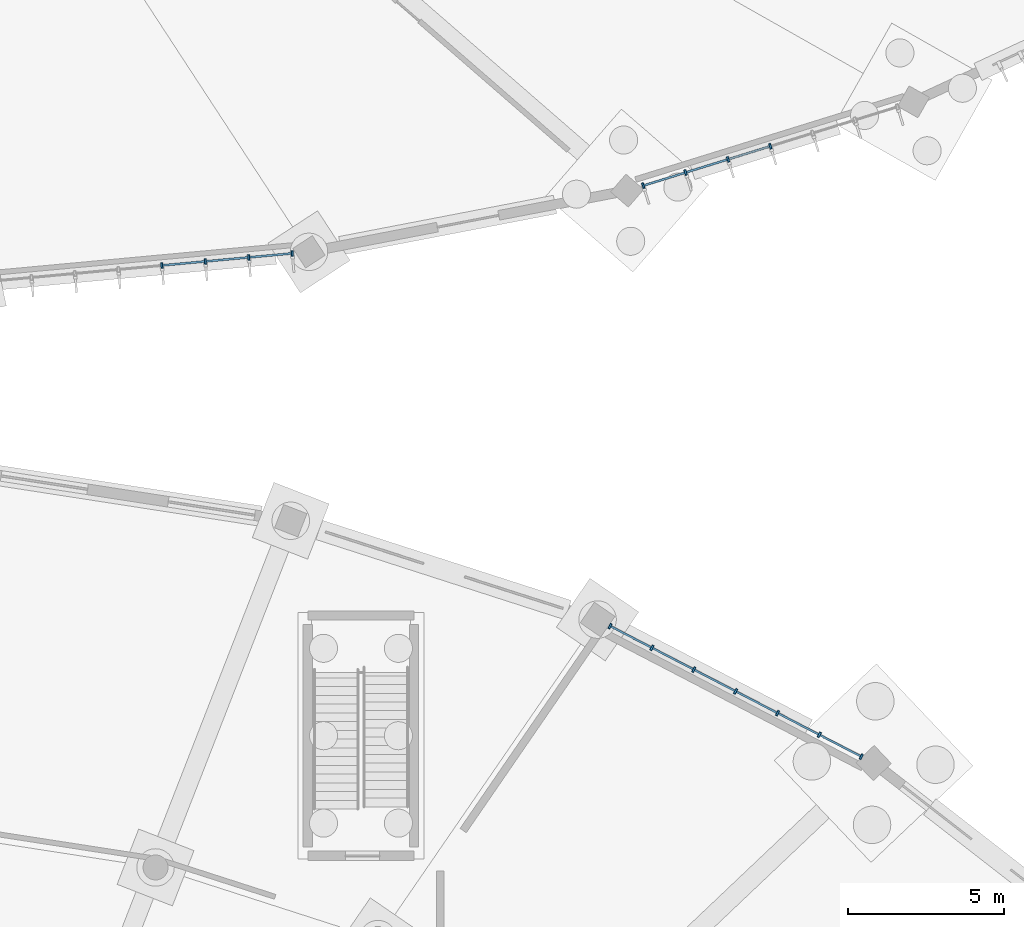
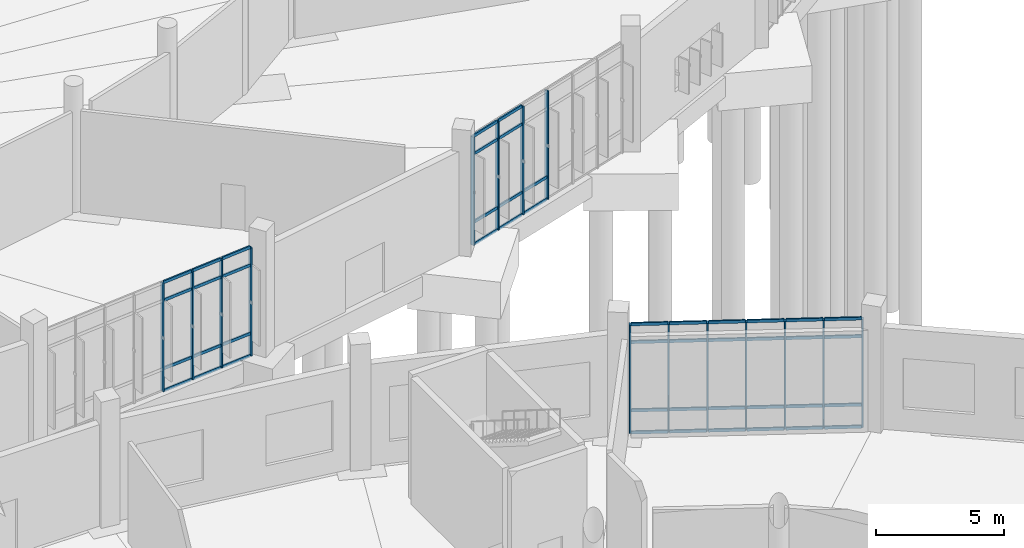
# One storey, part 46 of 140: 61 members, 3 elements without a shape of their own.
"""IFC4 building model written with IfcOpenShell, lengths in metres."""

from ifc_helpers import new_model, si_unit, direction, frame, origin, origin_2d, place, context, subcontext, project, spatial, rectangle, extrude, material, layer, layer_set, material_profile, profile_set, type_object, element, aggregate, save


model = new_model("IFC4")

# Units and contexts
model_context = context("Model", 3, precision=1e-05, world=origin(), true_north=direction((0.0, 1.0)))
body_context = subcontext(model_context, "Body", "Model", "MODEL_VIEW")
ifc_project = project(units=[si_unit("LENGTHUNIT", "METRE"), si_unit("AREAUNIT", "SQUARE_METRE"), si_unit("VOLUMEUNIT", "CUBIC_METRE"), si_unit("PLANEANGLEUNIT", "RADIAN"), si_unit("MASSUNIT", "GRAM", prefix="KILO")], contexts=[model_context])

# Site, building, storey
site_placement = place(None, origin())
site = spatial("IfcSite", under=ifc_project, at=site_placement, CompositionType="ELEMENT")
building_placement = place(site_placement, origin())
building = spatial("IfcBuilding", under=site, at=building_placement, Name="Corvandel Quay Wholesale Market", CompositionType="ELEMENT")
storey_placement = place(building_placement, origin())
storey = spatial("IfcBuildingStorey", under=building, at=storey_placement, Name="L00", CompositionType="ELEMENT", Elevation=0.0)

# Curtain wall, members
ifc_material_1 = material(Name="Bronze anodised aluminium and low-E insulated glazing", Category="aluminium")
ifc_layer_1 = layer(ifc_material_1, 0.14990234375)
ifc_layer_set_1 = layer_set([ifc_layer_1], Name="Bronze anodised aluminium and low-E insulated glazing")
curtain_wall_type_1 = type_object("IfcCurtainWallType", Name="Stick Curtain Wall System CW05 H3450", PredefinedType="NOTDEFINED", material=ifc_layer_set_1)
curtain_wall_1_placement = place(storey_placement, origin())
curtain_wall_1 = element("IfcCurtainWall", 1, at=curtain_wall_1_placement, inside=storey, type_object=curtain_wall_type_1, Name="Curtain Wall CW-0012", PredefinedType="NOTDEFINED")
ifc_material_2 = material(Name="Anodised aluminium 6063-T6", Category="aluminium")
ifc_material_profile_1 = material_profile(ifc_material_2, rectangle(XDim=0.06494140625, YDim=0.179931640625, at=origin_2d()), Name="ALU-MUL-65x180")
ifc_profile_set_1 = profile_set([ifc_material_profile_1], Name="Anodised aluminium 6063-T6")
member_type_1 = type_object("IfcMemberType", Name="Curtain Wall Mullion ML01 65x180", PredefinedType="MULLION", material=ifc_profile_set_1)
member_1_placement = place(storey_placement, frame((148.023681640625, 74.83154296875, 0.0), z_axis=(0.0, 0.0, 1.0), x_axis=(-0.887332978338, 0.461129250378, 0.0)))
member_1 = element("IfcMember", 2, at=member_1_placement, type_object=member_type_1, Name="Mullion CW-0012-M00", PredefinedType="MULLION", context=body_context, shape_type="SweptSolid", body=[
    extrude(rectangle(XDim=0.06494140625, YDim=0.179931640625, at=origin_2d()), origin(), (0.0, 0.0, 1.0), 5.14990234375),
])
member_2_placement = place(storey_placement, frame((146.682861328125, 75.5283203125, 0.0), z_axis=(0.0, 0.0, 1.0), x_axis=(-0.887332978338, 0.461129250378, 0.0)))
member_2 = element("IfcMember", 3, at=member_2_placement, type_object=member_type_1, Name="Mullion CW-0012-M01", PredefinedType="MULLION", context=body_context, shape_type="SweptSolid", body=[
    extrude(rectangle(XDim=0.06494140625, YDim=0.179931640625, at=origin_2d()), origin(), (0.0, 0.0, 1.0), 5.14990234375),
])
member_3_placement = place(storey_placement, frame((145.341796875, 76.22509765625, 0.0), z_axis=(0.0, 0.0, 1.0), x_axis=(-0.887332978338, 0.461129250378, 0.0)))
member_3 = element("IfcMember", 4, at=member_3_placement, type_object=member_type_1, Name="Mullion CW-0012-M02", PredefinedType="MULLION", context=body_context, shape_type="SweptSolid", body=[
    extrude(rectangle(XDim=0.06494140625, YDim=0.179931640625, at=origin_2d()), origin(), (0.0, 0.0, 1.0), 5.14990234375),
])
member_4_placement = place(storey_placement, frame((144.0009765625, 76.922119140625, 0.0), z_axis=(0.0, 0.0, 1.0), x_axis=(-0.887332978338, 0.461129250378, 0.0)))
member_4 = element("IfcMember", 5, at=member_4_placement, type_object=member_type_1, Name="Mullion CW-0012-M03", PredefinedType="MULLION", context=body_context, shape_type="SweptSolid", body=[
    extrude(rectangle(XDim=0.06494140625, YDim=0.179931640625, at=origin_2d()), origin(), (0.0, 0.0, 1.0), 5.14990234375),
])
member_5_placement = place(storey_placement, frame((142.66015625, 77.618896484375, 0.0), z_axis=(0.0, 0.0, 1.0), x_axis=(-0.887332978338, 0.461129250378, 0.0)))
member_5 = element("IfcMember", 6, at=member_5_placement, type_object=member_type_1, Name="Mullion CW-0012-M04", PredefinedType="MULLION", context=body_context, shape_type="SweptSolid", body=[
    extrude(rectangle(XDim=0.06494140625, YDim=0.179931640625, at=origin_2d()), origin(), (0.0, 0.0, 1.0), 5.14990234375),
])
member_6_placement = place(storey_placement, frame((141.319091796875, 78.315673828125, 0.0), z_axis=(0.0, 0.0, 1.0), x_axis=(-0.887332978338, 0.461129250378, 0.0)))
member_6 = element("IfcMember", 7, at=member_6_placement, type_object=member_type_1, Name="Mullion CW-0012-M05", PredefinedType="MULLION", context=body_context, shape_type="SweptSolid", body=[
    extrude(rectangle(XDim=0.06494140625, YDim=0.179931640625, at=origin_2d()), origin(), (0.0, 0.0, 1.0), 5.14990234375),
])
member_7_placement = place(storey_placement, frame((139.978271484375, 79.012451171875, 0.0), z_axis=(0.0, 0.0, 1.0), x_axis=(-0.887332978338, 0.461129250378, 0.0)))
member_7 = element("IfcMember", 8, at=member_7_placement, type_object=member_type_1, Name="Mullion CW-0012-M06", PredefinedType="MULLION", context=body_context, shape_type="SweptSolid", body=[
    extrude(rectangle(XDim=0.06494140625, YDim=0.179931640625, at=origin_2d()), origin(), (0.0, 0.0, 1.0), 5.14990234375),
])

ifc_layer_2 = layer(ifc_material_1, 0.174072265625)
ifc_layer_set_2 = layer_set([ifc_layer_2], Name="Bronze anodised aluminium and low-E insulated glazing")
curtain_wall_type_2 = type_object("IfcCurtainWallType", Name="Stick Curtain Wall System CW27 H5430", PredefinedType="NOTDEFINED", material=ifc_layer_set_2)
curtain_wall_2_placement = place(storey_placement, origin())
curtain_wall_2 = element("IfcCurtainWall", 9, at=curtain_wall_2_placement, inside=storey, type_object=curtain_wall_type_2, Name="Curtain Wall CW-0116", PredefinedType="NOTDEFINED")
member_8_placement = place(storey_placement, frame((125.62158203125, 90.563720703125, 0.0), z_axis=(0.0, 0.0, 1.0), x_axis=(0.995756880939, 0.092023008338, 0.0)))
member_8 = element("IfcMember", 10, at=member_8_placement, type_object=member_type_1, Name="Mullion CW-0116-M04", PredefinedType="MULLION", context=body_context, shape_type="SweptSolid", body=[
    extrude(rectangle(XDim=0.06494140625, YDim=0.179931640625, at=origin_2d()), origin(), (0.0, 0.0, 1.0), 5.14990234375),
])
member_9_placement = place(storey_placement, frame((127.013427734375, 90.6923828125, 0.0), z_axis=(0.0, 0.0, 1.0), x_axis=(0.995756880939, 0.092023008338, 0.0)))
member_9 = element("IfcMember", 11, at=member_9_placement, type_object=member_type_1, Name="Mullion CW-0116-M05", PredefinedType="MULLION", context=body_context, shape_type="SweptSolid", body=[
    extrude(rectangle(XDim=0.06494140625, YDim=0.179931640625, at=origin_2d()), origin(), (0.0, 0.0, 1.0), 5.14990234375),
])
member_10_placement = place(storey_placement, frame((128.405517578125, 90.82080078125, 0.0), z_axis=(0.0, 0.0, 1.0), x_axis=(0.995756880939, 0.092023008338, 0.0)))
member_10 = element("IfcMember", 12, at=member_10_placement, type_object=member_type_1, Name="Mullion CW-0116-M06", PredefinedType="MULLION", context=body_context, shape_type="SweptSolid", body=[
    extrude(rectangle(XDim=0.06494140625, YDim=0.179931640625, at=origin_2d()), origin(), (0.0, 0.0, 1.0), 5.14990234375),
])
member_11_placement = place(storey_placement, frame((129.79736328125, 90.94921875, 0.0), z_axis=(0.0, 0.0, 1.0), x_axis=(0.995756880939, 0.092023008338, 0.0)))
member_11 = element("IfcMember", 13, at=member_11_placement, type_object=member_type_1, Name="Mullion CW-0116-M07", PredefinedType="MULLION", context=body_context, shape_type="SweptSolid", body=[
    extrude(rectangle(XDim=0.06494140625, YDim=0.179931640625, at=origin_2d()), origin(), (0.0, 0.0, 1.0), 5.14990234375),
])

ifc_layer_3 = layer(ifc_material_1, 0.162109375)
ifc_layer_set_3 = layer_set([ifc_layer_3], Name="Bronze anodised aluminium and low-E insulated glazing")
curtain_wall_type_3 = type_object("IfcCurtainWallType", Name="Stick Curtain Wall System CW01 H3090", PredefinedType="NOTDEFINED", material=ifc_layer_set_3)
curtain_wall_3_placement = place(storey_placement, origin())
curtain_wall_3 = element("IfcCurtainWall", 14, at=curtain_wall_3_placement, inside=storey, type_object=curtain_wall_type_3, Name="Curtain Wall CW-0122", PredefinedType="NOTDEFINED")
member_12_placement = place(storey_placement, frame((141.041748046875, 93.118896484375, 0.0), z_axis=(0.0, 0.0, 1.0), x_axis=(0.955123398809, 0.296208192067, 0.0)))
member_12 = element("IfcMember", 15, at=member_12_placement, type_object=member_type_1, Name="Mullion CW-0122-M00", PredefinedType="MULLION", context=body_context, shape_type="SweptSolid", body=[
    extrude(rectangle(XDim=0.06494140625, YDim=0.179931640625, at=origin_2d()), origin(), (0.0, 0.0, 1.0), 5.14990234375),
])
member_13_placement = place(storey_placement, frame((142.3984375, 93.539794921875, 0.0), z_axis=(0.0, 0.0, 1.0), x_axis=(0.955123398809, 0.296208192067, 0.0)))
member_13 = element("IfcMember", 16, at=member_13_placement, type_object=member_type_1, Name="Mullion CW-0122-M01", PredefinedType="MULLION", context=body_context, shape_type="SweptSolid", body=[
    extrude(rectangle(XDim=0.06494140625, YDim=0.179931640625, at=origin_2d()), origin(), (0.0, 0.0, 1.0), 5.14990234375),
])
member_14_placement = place(storey_placement, frame((143.755126953125, 93.960693359375, 0.0), z_axis=(0.0, 0.0, 1.0), x_axis=(0.955123398809, 0.296208192067, 0.0)))
member_14 = element("IfcMember", 17, at=member_14_placement, type_object=member_type_1, Name="Mullion CW-0122-M02", PredefinedType="MULLION", context=body_context, shape_type="SweptSolid", body=[
    extrude(rectangle(XDim=0.06494140625, YDim=0.179931640625, at=origin_2d()), origin(), (0.0, 0.0, 1.0), 5.14990234375),
])
member_15_placement = place(storey_placement, frame((145.112060546875, 94.381591796875, 0.0), z_axis=(0.0, 0.0, 1.0), x_axis=(0.955123398809, 0.296208192067, 0.0)))
member_15 = element("IfcMember", 18, at=member_15_placement, type_object=member_type_1, Name="Mullion CW-0122-M03", PredefinedType="MULLION", context=body_context, shape_type="SweptSolid", body=[
    extrude(rectangle(XDim=0.06494140625, YDim=0.179931640625, at=origin_2d()), origin(), (0.0, 0.0, 1.0), 5.14990234375),
])

# Member
ifc_material_profile_2 = material_profile(ifc_material_2, rectangle(XDim=0.06494140625, YDim=0.139892578125, at=origin_2d()), Name="ALU-TRN-65x140")
ifc_profile_set_2 = profile_set([ifc_material_profile_2], Name="Anodised aluminium 6063-T6")
member_type_2 = type_object("IfcMemberType", Name="Curtain Wall Transom TR01 65x140", PredefinedType="USERDEFINED", material=ifc_profile_set_2)
member_16_placement = place(storey_placement, frame((147.994873046875, 74.846435546875, 0.0), z_axis=(-0.887363258925, 0.461070977953, 0.0), x_axis=(-0.461070977953, -0.887363258925, 0.0)))
member_16 = element("IfcMember", 19, at=member_16_placement, type_object=member_type_2, Name="Transom CW-0012-T00-0", ObjectType="TRANSOM", PredefinedType="USERDEFINED", context=body_context, shape_type="SweptSolid", body=[
    extrude(rectangle(XDim=0.06494140625, YDim=0.139892578125, at=origin_2d()), origin(), (0.0, 0.0, 1.0), 1.446044921875),
])

member_17_placement = place(storey_placement, frame((147.994873046875, 74.846435546875, 1.050048828125), z_axis=(-0.887363258925, 0.461070977953, 0.0), x_axis=(-0.461070977953, -0.887363258925, 0.0)))
member_17 = element("IfcMember", 20, at=member_17_placement, type_object=member_type_2, Name="Transom CW-0012-T00-1", ObjectType="TRANSOM", PredefinedType="USERDEFINED", context=body_context, shape_type="SweptSolid", body=[
    extrude(rectangle(XDim=0.06494140625, YDim=0.139892578125, at=origin_2d()), origin(), (0.0, 0.0, 1.0), 1.446044921875),
])

member_18_placement = place(storey_placement, frame((147.994873046875, 74.846435546875, 4.300048828125), z_axis=(-0.887363258925, 0.461070977953, 0.0), x_axis=(-0.461070977953, -0.887363258925, 0.0)))
member_18 = element("IfcMember", 21, at=member_18_placement, type_object=member_type_2, Name="Transom CW-0012-T00-2", ObjectType="TRANSOM", PredefinedType="USERDEFINED", context=body_context, shape_type="SweptSolid", body=[
    extrude(rectangle(XDim=0.06494140625, YDim=0.139892578125, at=origin_2d()), origin(), (0.0, 0.0, 1.0), 1.446044921875),
])

member_19_placement = place(storey_placement, frame((147.994873046875, 74.846435546875, 5.14990234375), z_axis=(-0.887363258925, 0.461070977953, 0.0), x_axis=(-0.461070977953, -0.887363258925, 0.0)))
member_19 = element("IfcMember", 22, at=member_19_placement, type_object=member_type_2, Name="Transom CW-0012-T00-3", ObjectType="TRANSOM", PredefinedType="USERDEFINED", context=body_context, shape_type="SweptSolid", body=[
    extrude(rectangle(XDim=0.06494140625, YDim=0.139892578125, at=origin_2d()), origin(), (0.0, 0.0, 1.0), 1.446044921875),
])

member_20_placement = place(storey_placement, frame((146.654052734375, 75.543212890625, 0.0), z_axis=(-0.887330080745, 0.46113482606, 0.0), x_axis=(-0.46113482606, -0.887330080745, 0.0)))
member_20 = element("IfcMember", 23, at=member_20_placement, type_object=member_type_2, Name="Transom CW-0012-T01-0", ObjectType="TRANSOM", PredefinedType="USERDEFINED", context=body_context, shape_type="SweptSolid", body=[
    extrude(rectangle(XDim=0.06494140625, YDim=0.139892578125, at=origin_2d()), origin(), (0.0, 0.0, 1.0), 1.446533203125),
])

member_21_placement = place(storey_placement, frame((146.654052734375, 75.543212890625, 1.050048828125), z_axis=(-0.887330080745, 0.46113482606, 0.0), x_axis=(-0.46113482606, -0.887330080745, 0.0)))
member_21 = element("IfcMember", 24, at=member_21_placement, type_object=member_type_2, Name="Transom CW-0012-T01-1", ObjectType="TRANSOM", PredefinedType="USERDEFINED", context=body_context, shape_type="SweptSolid", body=[
    extrude(rectangle(XDim=0.06494140625, YDim=0.139892578125, at=origin_2d()), origin(), (0.0, 0.0, 1.0), 1.446533203125),
])

member_22_placement = place(storey_placement, frame((146.654052734375, 75.543212890625, 4.300048828125), z_axis=(-0.887330080745, 0.46113482606, 0.0), x_axis=(-0.46113482606, -0.887330080745, 0.0)))
member_22 = element("IfcMember", 25, at=member_22_placement, type_object=member_type_2, Name="Transom CW-0012-T01-2", ObjectType="TRANSOM", PredefinedType="USERDEFINED", context=body_context, shape_type="SweptSolid", body=[
    extrude(rectangle(XDim=0.06494140625, YDim=0.139892578125, at=origin_2d()), origin(), (0.0, 0.0, 1.0), 1.446533203125),
])

member_23_placement = place(storey_placement, frame((146.654052734375, 75.543212890625, 5.14990234375), z_axis=(-0.887330080745, 0.46113482606, 0.0), x_axis=(-0.46113482606, -0.887330080745, 0.0)))
member_23 = element("IfcMember", 26, at=member_23_placement, type_object=member_type_2, Name="Transom CW-0012-T01-3", ObjectType="TRANSOM", PredefinedType="USERDEFINED", context=body_context, shape_type="SweptSolid", body=[
    extrude(rectangle(XDim=0.06494140625, YDim=0.139892578125, at=origin_2d()), origin(), (0.0, 0.0, 1.0), 1.446533203125),
])

member_24_placement = place(storey_placement, frame((145.31298828125, 76.240234375, 0.0), z_axis=(-0.887363258925, 0.461070977953, 0.0), x_axis=(-0.461070977953, -0.887363258925, 0.0)))
member_24 = element("IfcMember", 27, at=member_24_placement, type_object=member_type_2, Name="Transom CW-0012-T02-0", ObjectType="TRANSOM", PredefinedType="USERDEFINED", context=body_context, shape_type="SweptSolid", body=[
    extrude(rectangle(XDim=0.06494140625, YDim=0.139892578125, at=origin_2d()), origin(), (0.0, 0.0, 1.0), 1.446044921875),
])

member_25_placement = place(storey_placement, frame((145.31298828125, 76.240234375, 1.050048828125), z_axis=(-0.887363258925, 0.461070977953, 0.0), x_axis=(-0.461070977953, -0.887363258925, 0.0)))
member_25 = element("IfcMember", 28, at=member_25_placement, type_object=member_type_2, Name="Transom CW-0012-T02-1", ObjectType="TRANSOM", PredefinedType="USERDEFINED", context=body_context, shape_type="SweptSolid", body=[
    extrude(rectangle(XDim=0.06494140625, YDim=0.139892578125, at=origin_2d()), origin(), (0.0, 0.0, 1.0), 1.446044921875),
])

member_26_placement = place(storey_placement, frame((145.31298828125, 76.240234375, 4.300048828125), z_axis=(-0.887363258925, 0.461070977953, 0.0), x_axis=(-0.461070977953, -0.887363258925, 0.0)))
member_26 = element("IfcMember", 29, at=member_26_placement, type_object=member_type_2, Name="Transom CW-0012-T02-2", ObjectType="TRANSOM", PredefinedType="USERDEFINED", context=body_context, shape_type="SweptSolid", body=[
    extrude(rectangle(XDim=0.06494140625, YDim=0.139892578125, at=origin_2d()), origin(), (0.0, 0.0, 1.0), 1.446044921875),
])

member_27_placement = place(storey_placement, frame((145.31298828125, 76.240234375, 5.14990234375), z_axis=(-0.887363258925, 0.461070977953, 0.0), x_axis=(-0.461070977953, -0.887363258925, 0.0)))
member_27 = element("IfcMember", 30, at=member_27_placement, type_object=member_type_2, Name="Transom CW-0012-T02-3", ObjectType="TRANSOM", PredefinedType="USERDEFINED", context=body_context, shape_type="SweptSolid", body=[
    extrude(rectangle(XDim=0.06494140625, YDim=0.139892578125, at=origin_2d()), origin(), (0.0, 0.0, 1.0), 1.446044921875),
])

member_28_placement = place(storey_placement, frame((143.97216796875, 76.93701171875, 0.0), z_axis=(-0.887363258925, 0.461070977953, 0.0), x_axis=(-0.461070977953, -0.887363258925, 0.0)))
member_28 = element("IfcMember", 31, at=member_28_placement, type_object=member_type_2, Name="Transom CW-0012-T03-0", ObjectType="TRANSOM", PredefinedType="USERDEFINED", context=body_context, shape_type="SweptSolid", body=[
    extrude(rectangle(XDim=0.06494140625, YDim=0.139892578125, at=origin_2d()), origin(), (0.0, 0.0, 1.0), 1.446044921875),
])

member_29_placement = place(storey_placement, frame((143.97216796875, 76.93701171875, 1.050048828125), z_axis=(-0.887363258925, 0.461070977953, 0.0), x_axis=(-0.461070977953, -0.887363258925, 0.0)))
member_29 = element("IfcMember", 32, at=member_29_placement, type_object=member_type_2, Name="Transom CW-0012-T03-1", ObjectType="TRANSOM", PredefinedType="USERDEFINED", context=body_context, shape_type="SweptSolid", body=[
    extrude(rectangle(XDim=0.06494140625, YDim=0.139892578125, at=origin_2d()), origin(), (0.0, 0.0, 1.0), 1.446044921875),
])

member_30_placement = place(storey_placement, frame((143.97216796875, 76.93701171875, 4.300048828125), z_axis=(-0.887363258925, 0.461070977953, 0.0), x_axis=(-0.461070977953, -0.887363258925, 0.0)))
member_30 = element("IfcMember", 33, at=member_30_placement, type_object=member_type_2, Name="Transom CW-0012-T03-2", ObjectType="TRANSOM", PredefinedType="USERDEFINED", context=body_context, shape_type="SweptSolid", body=[
    extrude(rectangle(XDim=0.06494140625, YDim=0.139892578125, at=origin_2d()), origin(), (0.0, 0.0, 1.0), 1.446044921875),
])

member_31_placement = place(storey_placement, frame((143.97216796875, 76.93701171875, 5.14990234375), z_axis=(-0.887363258925, 0.461070977953, 0.0), x_axis=(-0.461070977953, -0.887363258925, 0.0)))
member_31 = element("IfcMember", 34, at=member_31_placement, type_object=member_type_2, Name="Transom CW-0012-T03-3", ObjectType="TRANSOM", PredefinedType="USERDEFINED", context=body_context, shape_type="SweptSolid", body=[
    extrude(rectangle(XDim=0.06494140625, YDim=0.139892578125, at=origin_2d()), origin(), (0.0, 0.0, 1.0), 1.446044921875),
])

member_32_placement = place(storey_placement, frame((142.63134765625, 77.6337890625, 0.0), z_axis=(-0.887330080745, 0.46113482606, 0.0), x_axis=(-0.46113482606, -0.887330080745, 0.0)))
member_32 = element("IfcMember", 35, at=member_32_placement, type_object=member_type_2, Name="Transom CW-0012-T04-0", ObjectType="TRANSOM", PredefinedType="USERDEFINED", context=body_context, shape_type="SweptSolid", body=[
    extrude(rectangle(XDim=0.06494140625, YDim=0.139892578125, at=origin_2d()), origin(), (0.0, 0.0, 1.0), 1.446533203125),
])

member_33_placement = place(storey_placement, frame((142.63134765625, 77.6337890625, 1.050048828125), z_axis=(-0.887330080745, 0.46113482606, 0.0), x_axis=(-0.46113482606, -0.887330080745, 0.0)))
member_33 = element("IfcMember", 36, at=member_33_placement, type_object=member_type_2, Name="Transom CW-0012-T04-1", ObjectType="TRANSOM", PredefinedType="USERDEFINED", context=body_context, shape_type="SweptSolid", body=[
    extrude(rectangle(XDim=0.06494140625, YDim=0.139892578125, at=origin_2d()), origin(), (0.0, 0.0, 1.0), 1.446533203125),
])

member_34_placement = place(storey_placement, frame((142.63134765625, 77.6337890625, 4.300048828125), z_axis=(-0.887330080745, 0.46113482606, 0.0), x_axis=(-0.46113482606, -0.887330080745, 0.0)))
member_34 = element("IfcMember", 37, at=member_34_placement, type_object=member_type_2, Name="Transom CW-0012-T04-2", ObjectType="TRANSOM", PredefinedType="USERDEFINED", context=body_context, shape_type="SweptSolid", body=[
    extrude(rectangle(XDim=0.06494140625, YDim=0.139892578125, at=origin_2d()), origin(), (0.0, 0.0, 1.0), 1.446533203125),
])

member_35_placement = place(storey_placement, frame((142.63134765625, 77.6337890625, 5.14990234375), z_axis=(-0.887330080745, 0.46113482606, 0.0), x_axis=(-0.46113482606, -0.887330080745, 0.0)))
member_35 = element("IfcMember", 38, at=member_35_placement, type_object=member_type_2, Name="Transom CW-0012-T04-3", ObjectType="TRANSOM", PredefinedType="USERDEFINED", context=body_context, shape_type="SweptSolid", body=[
    extrude(rectangle(XDim=0.06494140625, YDim=0.139892578125, at=origin_2d()), origin(), (0.0, 0.0, 1.0), 1.446533203125),
])

member_36_placement = place(storey_placement, frame((141.290283203125, 78.330810546875, 0.0), z_axis=(-0.887363258925, 0.461070977953, 0.0), x_axis=(-0.461070977953, -0.887363258925, 0.0)))
member_36 = element("IfcMember", 39, at=member_36_placement, type_object=member_type_2, Name="Transom CW-0012-T05-0", ObjectType="TRANSOM", PredefinedType="USERDEFINED", context=body_context, shape_type="SweptSolid", body=[
    extrude(rectangle(XDim=0.06494140625, YDim=0.139892578125, at=origin_2d()), origin(), (0.0, 0.0, 1.0), 1.446044921875),
])

member_37_placement = place(storey_placement, frame((141.290283203125, 78.330810546875, 1.050048828125), z_axis=(-0.887363258925, 0.461070977953, 0.0), x_axis=(-0.461070977953, -0.887363258925, 0.0)))
member_37 = element("IfcMember", 40, at=member_37_placement, type_object=member_type_2, Name="Transom CW-0012-T05-1", ObjectType="TRANSOM", PredefinedType="USERDEFINED", context=body_context, shape_type="SweptSolid", body=[
    extrude(rectangle(XDim=0.06494140625, YDim=0.139892578125, at=origin_2d()), origin(), (0.0, 0.0, 1.0), 1.446044921875),
])

member_38_placement = place(storey_placement, frame((141.290283203125, 78.330810546875, 4.300048828125), z_axis=(-0.887363258925, 0.461070977953, 0.0), x_axis=(-0.461070977953, -0.887363258925, 0.0)))
member_38 = element("IfcMember", 41, at=member_38_placement, type_object=member_type_2, Name="Transom CW-0012-T05-2", ObjectType="TRANSOM", PredefinedType="USERDEFINED", context=body_context, shape_type="SweptSolid", body=[
    extrude(rectangle(XDim=0.06494140625, YDim=0.139892578125, at=origin_2d()), origin(), (0.0, 0.0, 1.0), 1.446044921875),
])

member_39_placement = place(storey_placement, frame((141.290283203125, 78.330810546875, 5.14990234375), z_axis=(-0.887363258925, 0.461070977953, 0.0), x_axis=(-0.461070977953, -0.887363258925, 0.0)))
member_39 = element("IfcMember", 42, at=member_39_placement, type_object=member_type_2, Name="Transom CW-0012-T05-3", ObjectType="TRANSOM", PredefinedType="USERDEFINED", context=body_context, shape_type="SweptSolid", body=[
    extrude(rectangle(XDim=0.06494140625, YDim=0.139892578125, at=origin_2d()), origin(), (0.0, 0.0, 1.0), 1.446044921875),
])

aggregate(curtain_wall_1, [member_1, member_2, member_3, member_4, member_5, member_6, member_7, member_16, member_17, member_18, member_19, member_20, member_21, member_22, member_23, member_24, member_25, member_26, member_27, member_28, member_29, member_30, member_31, member_32, member_33, member_34, member_35, member_36, member_37, member_38, member_39])

member_40_placement = place(storey_placement, frame((125.65380859375, 90.566650390625, 0.0), z_axis=(0.995764615635, 0.091939274793, 0.0), x_axis=(-0.091939274793, 0.995764615635, 0.0)))
member_40 = element("IfcMember", 43, at=member_40_placement, type_object=member_type_2, Name="Transom CW-0116-T04-0", ObjectType="TRANSOM", PredefinedType="USERDEFINED", context=body_context, shape_type="SweptSolid", body=[
    extrude(rectangle(XDim=0.06494140625, YDim=0.139892578125, at=origin_2d()), origin(), (0.0, 0.0, 1.0), 1.3330078125),
])

member_41_placement = place(storey_placement, frame((125.65380859375, 90.566650390625, 1.050048828125), z_axis=(0.995764615635, 0.091939274793, 0.0), x_axis=(-0.091939274793, 0.995764615635, 0.0)))
member_41 = element("IfcMember", 44, at=member_41_placement, type_object=member_type_2, Name="Transom CW-0116-T04-1", ObjectType="TRANSOM", PredefinedType="USERDEFINED", context=body_context, shape_type="SweptSolid", body=[
    extrude(rectangle(XDim=0.06494140625, YDim=0.139892578125, at=origin_2d()), origin(), (0.0, 0.0, 1.0), 1.3330078125),
])

member_42_placement = place(storey_placement, frame((125.65380859375, 90.566650390625, 4.300048828125), z_axis=(0.995764615635, 0.091939274793, 0.0), x_axis=(-0.091939274793, 0.995764615635, 0.0)))
member_42 = element("IfcMember", 45, at=member_42_placement, type_object=member_type_2, Name="Transom CW-0116-T04-2", ObjectType="TRANSOM", PredefinedType="USERDEFINED", context=body_context, shape_type="SweptSolid", body=[
    extrude(rectangle(XDim=0.06494140625, YDim=0.139892578125, at=origin_2d()), origin(), (0.0, 0.0, 1.0), 1.3330078125),
])

member_43_placement = place(storey_placement, frame((125.65380859375, 90.566650390625, 5.14990234375), z_axis=(0.995764615635, 0.091939274793, 0.0), x_axis=(-0.091939274793, 0.995764615635, 0.0)))
member_43 = element("IfcMember", 46, at=member_43_placement, type_object=member_type_2, Name="Transom CW-0116-T04-3", ObjectType="TRANSOM", PredefinedType="USERDEFINED", context=body_context, shape_type="SweptSolid", body=[
    extrude(rectangle(XDim=0.06494140625, YDim=0.139892578125, at=origin_2d()), origin(), (0.0, 0.0, 1.0), 1.3330078125),
])

member_44_placement = place(storey_placement, frame((127.0458984375, 90.6953125, 0.0), z_axis=(0.99576306711, 0.091956044829, 0.0), x_axis=(-0.091956044829, 0.99576306711, 0.0)))
member_44 = element("IfcMember", 47, at=member_44_placement, type_object=member_type_2, Name="Transom CW-0116-T05-0", ObjectType="TRANSOM", PredefinedType="USERDEFINED", context=body_context, shape_type="SweptSolid", body=[
    extrude(rectangle(XDim=0.06494140625, YDim=0.139892578125, at=origin_2d()), origin(), (0.0, 0.0, 1.0), 1.332763671875),
])

member_45_placement = place(storey_placement, frame((127.0458984375, 90.6953125, 1.050048828125), z_axis=(0.99576306711, 0.091956044829, 0.0), x_axis=(-0.091956044829, 0.99576306711, 0.0)))
member_45 = element("IfcMember", 48, at=member_45_placement, type_object=member_type_2, Name="Transom CW-0116-T05-1", ObjectType="TRANSOM", PredefinedType="USERDEFINED", context=body_context, shape_type="SweptSolid", body=[
    extrude(rectangle(XDim=0.06494140625, YDim=0.139892578125, at=origin_2d()), origin(), (0.0, 0.0, 1.0), 1.332763671875),
])

member_46_placement = place(storey_placement, frame((127.0458984375, 90.6953125, 4.300048828125), z_axis=(0.99576306711, 0.091956044829, 0.0), x_axis=(-0.091956044829, 0.99576306711, 0.0)))
member_46 = element("IfcMember", 49, at=member_46_placement, type_object=member_type_2, Name="Transom CW-0116-T05-2", ObjectType="TRANSOM", PredefinedType="USERDEFINED", context=body_context, shape_type="SweptSolid", body=[
    extrude(rectangle(XDim=0.06494140625, YDim=0.139892578125, at=origin_2d()), origin(), (0.0, 0.0, 1.0), 1.332763671875),
])

member_47_placement = place(storey_placement, frame((127.0458984375, 90.6953125, 5.14990234375), z_axis=(0.99576306711, 0.091956044829, 0.0), x_axis=(-0.091956044829, 0.99576306711, 0.0)))
member_47 = element("IfcMember", 50, at=member_47_placement, type_object=member_type_2, Name="Transom CW-0116-T05-3", ObjectType="TRANSOM", PredefinedType="USERDEFINED", context=body_context, shape_type="SweptSolid", body=[
    extrude(rectangle(XDim=0.06494140625, YDim=0.139892578125, at=origin_2d()), origin(), (0.0, 0.0, 1.0), 1.332763671875),
])

member_48_placement = place(storey_placement, frame((128.437744140625, 90.82373046875, 0.0), z_axis=(0.99576306711, 0.091956044829, 0.0), x_axis=(-0.091956044829, 0.99576306711, 0.0)))
member_48 = element("IfcMember", 51, at=member_48_placement, type_object=member_type_2, Name="Transom CW-0116-T06-0", ObjectType="TRANSOM", PredefinedType="USERDEFINED", context=body_context, shape_type="SweptSolid", body=[
    extrude(rectangle(XDim=0.06494140625, YDim=0.139892578125, at=origin_2d()), origin(), (0.0, 0.0, 1.0), 1.332763671875),
])

member_49_placement = place(storey_placement, frame((128.437744140625, 90.82373046875, 1.050048828125), z_axis=(0.99576306711, 0.091956044829, 0.0), x_axis=(-0.091956044829, 0.99576306711, 0.0)))
member_49 = element("IfcMember", 52, at=member_49_placement, type_object=member_type_2, Name="Transom CW-0116-T06-1", ObjectType="TRANSOM", PredefinedType="USERDEFINED", context=body_context, shape_type="SweptSolid", body=[
    extrude(rectangle(XDim=0.06494140625, YDim=0.139892578125, at=origin_2d()), origin(), (0.0, 0.0, 1.0), 1.332763671875),
])

member_50_placement = place(storey_placement, frame((128.437744140625, 90.82373046875, 4.300048828125), z_axis=(0.99576306711, 0.091956044829, 0.0), x_axis=(-0.091956044829, 0.99576306711, 0.0)))
member_50 = element("IfcMember", 53, at=member_50_placement, type_object=member_type_2, Name="Transom CW-0116-T06-2", ObjectType="TRANSOM", PredefinedType="USERDEFINED", context=body_context, shape_type="SweptSolid", body=[
    extrude(rectangle(XDim=0.06494140625, YDim=0.139892578125, at=origin_2d()), origin(), (0.0, 0.0, 1.0), 1.332763671875),
])

member_51_placement = place(storey_placement, frame((128.437744140625, 90.82373046875, 5.14990234375), z_axis=(0.99576306711, 0.091956044829, 0.0), x_axis=(-0.091956044829, 0.99576306711, 0.0)))
member_51 = element("IfcMember", 54, at=member_51_placement, type_object=member_type_2, Name="Transom CW-0116-T06-3", ObjectType="TRANSOM", PredefinedType="USERDEFINED", context=body_context, shape_type="SweptSolid", body=[
    extrude(rectangle(XDim=0.06494140625, YDim=0.139892578125, at=origin_2d()), origin(), (0.0, 0.0, 1.0), 1.332763671875),
])

aggregate(curtain_wall_2, [member_8, member_9, member_10, member_11, member_40, member_41, member_42, member_43, member_44, member_45, member_46, member_47, member_48, member_49, member_50, member_51])

member_52_placement = place(storey_placement, frame((141.07275390625, 93.128662109375, 0.0), z_axis=(0.955102806569, 0.296274583595, 0.0), x_axis=(-0.296274583595, 0.955102806569, 0.0)))
member_52 = element("IfcMember", 55, at=member_52_placement, type_object=member_type_2, Name="Transom CW-0122-T00-0", ObjectType="TRANSOM", PredefinedType="USERDEFINED", context=body_context, shape_type="SweptSolid", body=[
    extrude(rectangle(XDim=0.06494140625, YDim=0.139892578125, at=origin_2d()), origin(), (0.0, 0.0, 1.0), 1.35546875),
])

member_53_placement = place(storey_placement, frame((141.07275390625, 93.128662109375, 1.050048828125), z_axis=(0.955102806569, 0.296274583595, 0.0), x_axis=(-0.296274583595, 0.955102806569, 0.0)))
member_53 = element("IfcMember", 56, at=member_53_placement, type_object=member_type_2, Name="Transom CW-0122-T00-1", ObjectType="TRANSOM", PredefinedType="USERDEFINED", context=body_context, shape_type="SweptSolid", body=[
    extrude(rectangle(XDim=0.06494140625, YDim=0.139892578125, at=origin_2d()), origin(), (0.0, 0.0, 1.0), 1.35546875),
])

member_54_placement = place(storey_placement, frame((141.07275390625, 93.128662109375, 4.300048828125), z_axis=(0.955102806569, 0.296274583595, 0.0), x_axis=(-0.296274583595, 0.955102806569, 0.0)))
member_54 = element("IfcMember", 57, at=member_54_placement, type_object=member_type_2, Name="Transom CW-0122-T00-2", ObjectType="TRANSOM", PredefinedType="USERDEFINED", context=body_context, shape_type="SweptSolid", body=[
    extrude(rectangle(XDim=0.06494140625, YDim=0.139892578125, at=origin_2d()), origin(), (0.0, 0.0, 1.0), 1.35546875),
])

member_55_placement = place(storey_placement, frame((141.07275390625, 93.128662109375, 5.14990234375), z_axis=(0.955102806569, 0.296274583595, 0.0), x_axis=(-0.296274583595, 0.955102806569, 0.0)))
member_55 = element("IfcMember", 58, at=member_55_placement, type_object=member_type_2, Name="Transom CW-0122-T00-3", ObjectType="TRANSOM", PredefinedType="USERDEFINED", context=body_context, shape_type="SweptSolid", body=[
    extrude(rectangle(XDim=0.06494140625, YDim=0.139892578125, at=origin_2d()), origin(), (0.0, 0.0, 1.0), 1.35546875),
])

member_56_placement = place(storey_placement, frame((142.429443359375, 93.549560546875, 0.0), z_axis=(0.95515376027, 0.296110273786, 0.0), x_axis=(-0.296110273786, 0.95515376027, 0.0)))
member_56 = element("IfcMember", 59, at=member_56_placement, type_object=member_type_2, Name="Transom CW-0122-T01-0", ObjectType="TRANSOM", PredefinedType="USERDEFINED", context=body_context, shape_type="SweptSolid", body=[
    extrude(rectangle(XDim=0.06494140625, YDim=0.139892578125, at=origin_2d()), origin(), (0.0, 0.0, 1.0), 1.35546875),
])

member_57_placement = place(storey_placement, frame((142.429443359375, 93.549560546875, 1.050048828125), z_axis=(0.95515376027, 0.296110273786, 0.0), x_axis=(-0.296110273786, 0.95515376027, 0.0)))
member_57 = element("IfcMember", 60, at=member_57_placement, type_object=member_type_2, Name="Transom CW-0122-T01-1", ObjectType="TRANSOM", PredefinedType="USERDEFINED", context=body_context, shape_type="SweptSolid", body=[
    extrude(rectangle(XDim=0.06494140625, YDim=0.139892578125, at=origin_2d()), origin(), (0.0, 0.0, 1.0), 1.35546875),
])

member_58_placement = place(storey_placement, frame((142.429443359375, 93.549560546875, 4.300048828125), z_axis=(0.95515376027, 0.296110273786, 0.0), x_axis=(-0.296110273786, 0.95515376027, 0.0)))
member_58 = element("IfcMember", 61, at=member_58_placement, type_object=member_type_2, Name="Transom CW-0122-T01-2", ObjectType="TRANSOM", PredefinedType="USERDEFINED", context=body_context, shape_type="SweptSolid", body=[
    extrude(rectangle(XDim=0.06494140625, YDim=0.139892578125, at=origin_2d()), origin(), (0.0, 0.0, 1.0), 1.35546875),
])

member_59_placement = place(storey_placement, frame((142.429443359375, 93.549560546875, 5.14990234375), z_axis=(0.95515376027, 0.296110273786, 0.0), x_axis=(-0.296110273786, 0.95515376027, 0.0)))
member_59 = element("IfcMember", 62, at=member_59_placement, type_object=member_type_2, Name="Transom CW-0122-T01-3", ObjectType="TRANSOM", PredefinedType="USERDEFINED", context=body_context, shape_type="SweptSolid", body=[
    extrude(rectangle(XDim=0.06494140625, YDim=0.139892578125, at=origin_2d()), origin(), (0.0, 0.0, 1.0), 1.35546875),
])

member_60_placement = place(storey_placement, frame((143.786376953125, 93.97021484375, 0.0), z_axis=(0.955102806569, 0.296274583595, 0.0), x_axis=(-0.296274583595, 0.955102806569, 0.0)))
member_60 = element("IfcMember", 63, at=member_60_placement, type_object=member_type_2, Name="Transom CW-0122-T02-0", ObjectType="TRANSOM", PredefinedType="USERDEFINED", context=body_context, shape_type="SweptSolid", body=[
    extrude(rectangle(XDim=0.06494140625, YDim=0.139892578125, at=origin_2d()), origin(), (0.0, 0.0, 1.0), 1.35546875),
])

member_61_placement = place(storey_placement, frame((143.786376953125, 93.97021484375, 1.050048828125), z_axis=(0.955102806569, 0.296274583595, 0.0), x_axis=(-0.296274583595, 0.955102806569, 0.0)))
member_61 = element("IfcMember", 64, at=member_61_placement, type_object=member_type_2, Name="Transom CW-0122-T02-1", ObjectType="TRANSOM", PredefinedType="USERDEFINED", context=body_context, shape_type="SweptSolid", body=[
    extrude(rectangle(XDim=0.06494140625, YDim=0.139892578125, at=origin_2d()), origin(), (0.0, 0.0, 1.0), 1.35546875),
])

aggregate(curtain_wall_3, [member_12, member_13, member_14, member_15, member_52, member_53, member_54, member_55, member_56, member_57, member_58, member_59, member_60, member_61])

save(model, "model.ifc")
